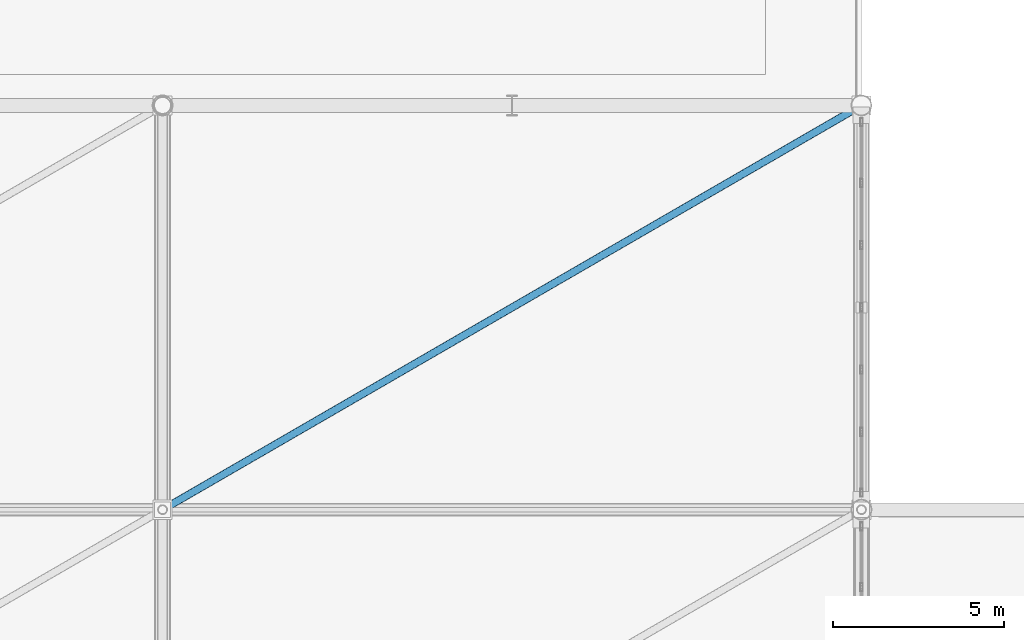
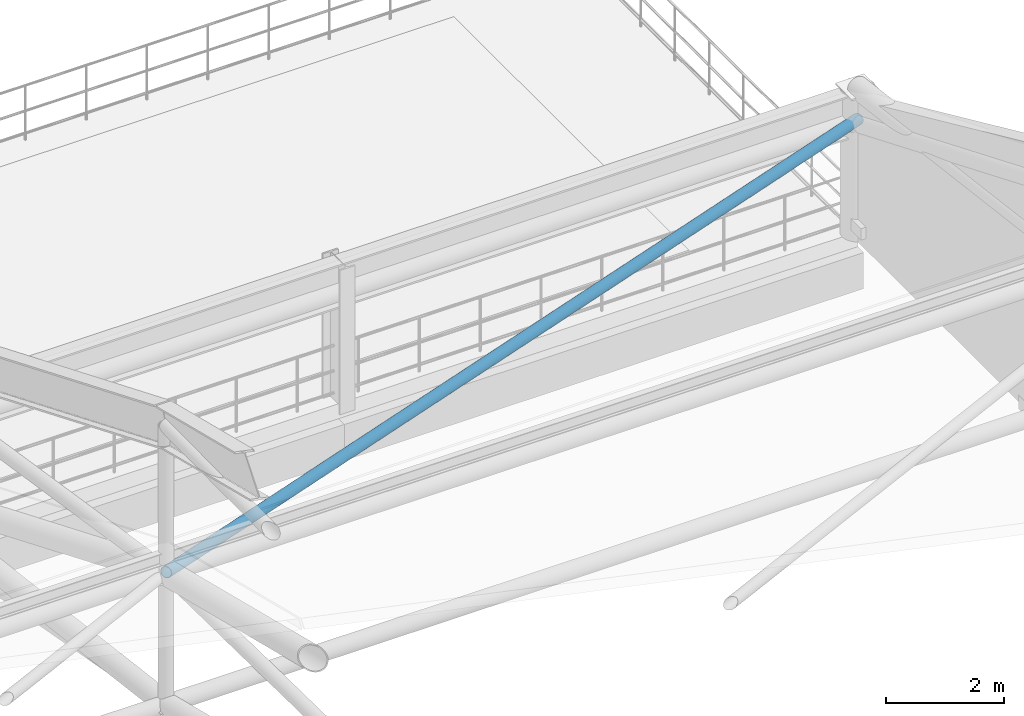
# One storey, part 65 of 135: 1 member.
"""IFC4 building model written with IfcOpenShell, lengths in metres."""

from ifc_helpers import new_model, si_unit, direction, frame, origin, origin_2d, place, context, subcontext, project, spatial, hollow_circle, extrude, material, material_profile, profile_set, type_object, element, save


model = new_model("IFC4")

# Units and contexts
model_context = context("Model", 3, precision=1e-05, world=origin(), true_north=direction((0.0, 1.0)))
body_context = subcontext(model_context, "Body", "Model", "MODEL_VIEW")
ifc_project = project(units=[si_unit("LENGTHUNIT", "METRE"), si_unit("AREAUNIT", "SQUARE_METRE"), si_unit("VOLUMEUNIT", "CUBIC_METRE"), si_unit("PLANEANGLEUNIT", "RADIAN"), si_unit("MASSUNIT", "GRAM", prefix="KILO")], contexts=[model_context])

# Site, building, storey
site_placement = place(None, origin())
site = spatial("IfcSite", under=ifc_project, at=site_placement, CompositionType="ELEMENT")
building_placement = place(site_placement, origin())
building = spatial("IfcBuilding", under=site, at=building_placement, Name="Brelvane Convention Centre", CompositionType="ELEMENT")
storey_placement = place(building_placement, frame((0.0, 0.0, 15.0)))
storey = spatial("IfcBuildingStorey", under=building, at=storey_placement, Name="L03", CompositionType="ELEMENT", Elevation=15.0)

# Member
ifc_material = material(Name="Steel E350 (350 MPa)", Category="steel")
ifc_material_profile = material_profile(ifc_material, hollow_circle(Radius=0.109619140625, WallThickness=0.010009765625, at=origin_2d()), Name="CHS 219.1x10.0")
ifc_profile_set = profile_set([ifc_material_profile], Name="Steel E350 (350 MPa)")
member_type = type_object("IfcMemberType", Name="Steel Brace SF-DG2 (CHS 219.1x10.0)", PredefinedType="BRACE", material=ifc_profile_set)
member_placement = place(storey_placement, frame((122.39990234375, 87.800048828125, 7.22900390625), z_axis=(0.847575290674, 0.490262647041, -0.203122287195), x_axis=(-0.500700562715, 0.865620555727, 0.0)))
element("IfcMember", 1, at=member_placement, inside=storey, type_object=member_type, Name="SF_EXH Roof Diaphragm Brace PB7.6", PredefinedType="BRACE", context=body_context, shape_type="SweptSolid", body=[
    extrude(hollow_circle(Radius=0.109619140625, WallThickness=0.010009765625, at=origin_2d()), origin(), (0.0, 0.0, 1.0), 24.06884765625),
])

save(model, "model.ifc")
